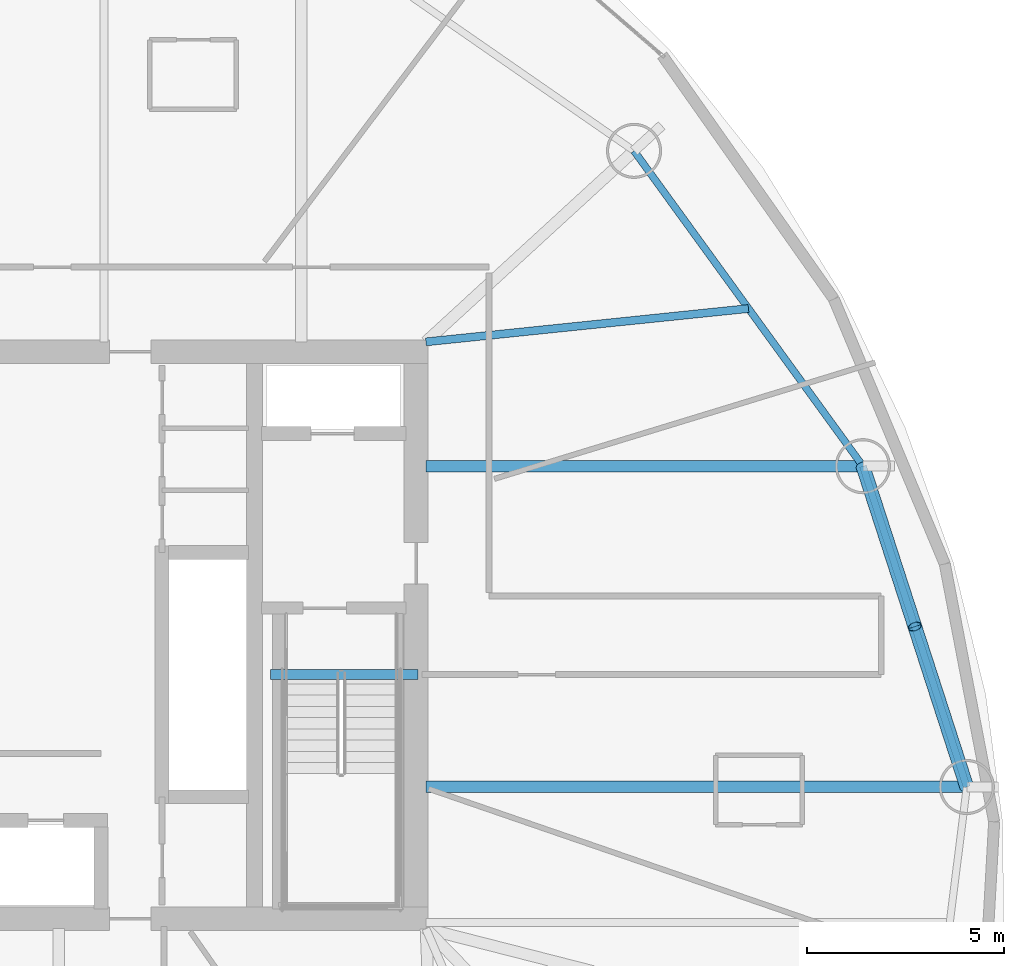
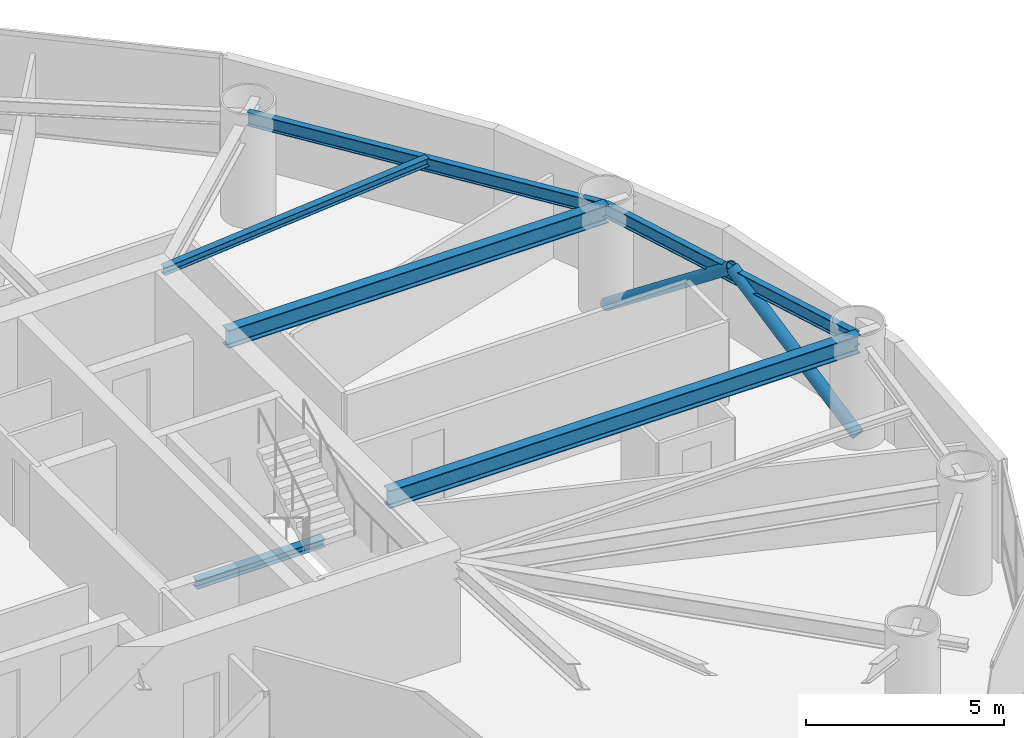
# One storey, part 9 of 21: 6 beams, 2 members.
"""IFC4 building model written with IfcOpenShell, lengths in metres."""

from ifc_helpers import new_model, si_unit, direction, frame, origin, origin_2d, place, context, subcontext, project, spatial, hollow_circle, i_section, extrude, material, material_profile, profile_set, type_object, element, save


model = new_model("IFC4")

# Units and contexts
model_context = context("Model", 3, precision=1e-05, world=origin(), true_north=direction((0.0, 1.0)))
body_context = subcontext(model_context, "Body", "Model", "MODEL_VIEW")
ifc_project = project(units=[si_unit("LENGTHUNIT", "METRE"), si_unit("AREAUNIT", "SQUARE_METRE"), si_unit("VOLUMEUNIT", "CUBIC_METRE"), si_unit("PLANEANGLEUNIT", "RADIAN"), si_unit("MASSUNIT", "GRAM", prefix="KILO")], contexts=[model_context])

# Site, building, storey
site_placement = place(None, origin())
site = spatial("IfcSite", under=ifc_project, at=site_placement, CompositionType="ELEMENT")
building_placement = place(site_placement, origin())
building = spatial("IfcBuilding", under=site, at=building_placement, Name="Bramvorn Convention Spire", CompositionType="ELEMENT")
storey_placement = place(building_placement, frame((0.0, 0.0, 162.300048828125)))
storey = spatial("IfcBuildingStorey", under=building, at=storey_placement, Name="L41", CompositionType="ELEMENT", Elevation=162.300048828125)

# Beams
ifc_material = material(Name="Steel CSA G40.21 Grade 350 (350W)", Category="steel")
ifc_material_profile_1 = material_profile(ifc_material, i_section(OverallWidth=0.201904296875, OverallDepth=0.2470703125, WebThickness=0.00732421875, FlangeThickness=0.010986328125, FilletRadius=0.011962890625, at=origin_2d()))
ifc_profile_set_1 = profile_set([ifc_material_profile_1], Name="Steel CSA G40.21 Grade 350 (350W) - W250X49")
beam_type_1 = type_object("IfcBeamType", Name="BM-W250X49", PredefinedType="JOIST", material=ifc_profile_set_1)
beam_1_placement = place(storey_placement, frame((49.25, 33.449951171875, 3.0263671875), z_axis=(0.994705076194, 0.102770673804, 0.0), x_axis=(-0.102770673804, 0.994705076194, 0.0)))
element("IfcBeam", 1, at=beam_1_placement, inside=storey, type_object=beam_type_1, Name="L41 composite floor joist 03", PredefinedType="JOIST", context=body_context, shape_type="SweptSolid", body=[
    extrude(i_section(OverallWidth=0.201904296875, OverallDepth=0.2470703125, WebThickness=0.00732421875, FlangeThickness=0.010986328125, FilletRadius=0.011962890625, at=origin_2d()), origin(), (0.0, 0.0, 1.0), 8.23388671875),
])
ifc_material_profile_2 = material_profile(ifc_material, i_section(OverallWidth=0.25390625, OverallDepth=0.2529296875, WebThickness=0.008544921875, FlangeThickness=0.01416015625, FilletRadius=0.011962890625, at=origin_2d()))
ifc_profile_set_2 = profile_set([ifc_material_profile_2], Name="Steel CSA G40.21 Grade 350 (350W) - W250X73")
beam_type_2 = type_object("IfcBeamType", Name="BM-W250X73", PredefinedType="BEAM", material=ifc_profile_set_2)
beam_2_placement = place(storey_placement, frame((45.31005859375, 25.010009765625, -0.12646484375), z_axis=(1.0, 0.0, 0.0), x_axis=(0.0, 1.0, 0.0)))
element("IfcBeam", 2, at=beam_2_placement, inside=storey, type_object=beam_type_2, Name="L41 ST2 stair arrival header beam", PredefinedType="BEAM", context=body_context, shape_type="SweptSolid", body=[
    extrude(i_section(OverallWidth=0.25390625, OverallDepth=0.2529296875, WebThickness=0.008544921875, FlangeThickness=0.01416015625, FilletRadius=0.011962890625, at=origin_2d()), origin(), (0.0, 0.0, 1.0), 3.739990234375),
])
ifc_material_profile_3 = material_profile(ifc_material, i_section(OverallWidth=0.180908203125, OverallDepth=0.4169921875, WebThickness=0.010986328125, FlangeThickness=0.018310546875, FilletRadius=0.01611328125, at=origin_2d()))
ifc_profile_set_3 = profile_set([ifc_material_profile_3], Name="Steel CSA G40.21 Grade 350 (350W) - W410X85")
beam_type_3 = type_object("IfcBeamType", Name="BM-W410X85", PredefinedType="JOIST", material=ifc_profile_set_3)
beam_3_placement = place(storey_placement, frame((62.983642578125, 22.148193359375, 2.94140625), z_axis=(-0.308114853612, 0.951349166701, 0.0), x_axis=(-0.951349166701, -0.308114853612, 0.0)))
element("IfcBeam", 3, at=beam_3_placement, inside=storey, type_object=beam_type_3, Name="L41 mega-column ring beam 02", PredefinedType="JOIST", context=body_context, shape_type="SweptSolid", body=[
    extrude(i_section(OverallWidth=0.180908203125, OverallDepth=0.4169921875, WebThickness=0.010986328125, FlangeThickness=0.018310546875, FilletRadius=0.01611328125, at=origin_2d()), origin(), (0.0, 0.0, 1.0), 8.5615234375),
])
beam_4_placement = place(storey_placement, frame((60.345703125, 30.293212890625, 2.94140625), z_axis=(-0.587401024629, 0.809296012757, 0.0), x_axis=(-0.809296012757, -0.587401024629, 0.0)))
element("IfcBeam", 4, at=beam_4_placement, inside=storey, type_object=beam_type_3, Name="L41 mega-column ring beam 03", PredefinedType="JOIST", context=body_context, shape_type="SweptSolid", body=[
    extrude(i_section(OverallWidth=0.180908203125, OverallDepth=0.4169921875, WebThickness=0.010986328125, FlangeThickness=0.018310546875, FilletRadius=0.01611328125, at=origin_2d()), origin(), (0.0, 0.0, 1.0), 9.892333984375),
])
ifc_material_profile_4 = material_profile(ifc_material, i_section(OverallWidth=0.2919921875, OverallDepth=0.551025390625, WebThickness=0.01513671875, FlangeThickness=0.0244140625, FilletRadius=0.01904296875, at=origin_2d()))
ifc_profile_set_4 = profile_set([ifc_material_profile_4], Name="Steel CSA G40.21 Grade 350 (350W) - W530X182")
beam_type_4 = type_object("IfcBeamType", Name="BM-W530X182", PredefinedType="BEAM", material=ifc_profile_set_4)
beam_5_placement = place(storey_placement, frame((49.25, 22.148193359375, 2.87451171875), z_axis=(1.0, 0.0, 0.0), x_axis=(0.0, 1.0, 0.0)))
element("IfcBeam", 5, at=beam_5_placement, inside=storey, type_object=beam_type_4, Name="L41 radial floor girder MC02", PredefinedType="BEAM", context=body_context, shape_type="SweptSolid", body=[
    extrude(i_section(OverallWidth=0.2919921875, OverallDepth=0.551025390625, WebThickness=0.01513671875, FlangeThickness=0.0244140625, FilletRadius=0.01904296875, at=origin_2d()), origin(), (0.0, 0.0, 1.0), 13.733642578125),
])
beam_6_placement = place(storey_placement, frame((49.25, 30.293212890625, 2.87451171875), z_axis=(1.0, 0.0, 0.0), x_axis=(0.0, 1.0, 0.0)))
element("IfcBeam", 6, at=beam_6_placement, inside=storey, type_object=beam_type_4, Name="L41 radial floor girder MC03", PredefinedType="BEAM", context=body_context, shape_type="SweptSolid", body=[
    extrude(i_section(OverallWidth=0.2919921875, OverallDepth=0.551025390625, WebThickness=0.01513671875, FlangeThickness=0.0244140625, FilletRadius=0.01904296875, at=origin_2d()), origin(), (0.0, 0.0, 1.0), 11.095703125),
])

# Members
ifc_material_profile_5 = material_profile(ifc_material, hollow_circle(Radius=0.177734375, WallThickness=0.015869140625, at=origin_2d()))
ifc_profile_set_5 = profile_set([ifc_material_profile_5], Name="Steel CSA G40.21 Grade 350 (350W) - CHS356X16")
member_type = type_object("IfcMemberType", Name="MBR-CHS356X16", PredefinedType="BRACE", material=ifc_profile_set_5)
for number, where, z_axis, x_axis, name in (
    (7, (62.983642578125, 22.148193359375, 0.0), (-0.248148524905, 0.766265372815, 0.592671652782), (-0.951357525158, -0.308089044476, 0.0), "L41 perimeter Gothic lancet brace 2A"),
    (8, (60.345703125, 30.293212890625, 0.0), (0.248191631927, -0.766256637456, 0.592664896376), (0.951340807692, 0.308140662068, 0.0), "L41 perimeter Gothic lancet brace 2B"),
):
    element("IfcMember", number, at=place(storey_placement, frame(where, z_axis=z_axis, x_axis=x_axis)), inside=storey, type_object=member_type, Name=name, PredefinedType="BRACE", context=body_context, shape_type="SweptSolid", body=[
        extrude(hollow_circle(Radius=0.177734375, WallThickness=0.015869140625, at=origin_2d()), origin(), (0.0, 0.0, 1.0), 5.314697265625),
    ])

save(model, "model.ifc")
